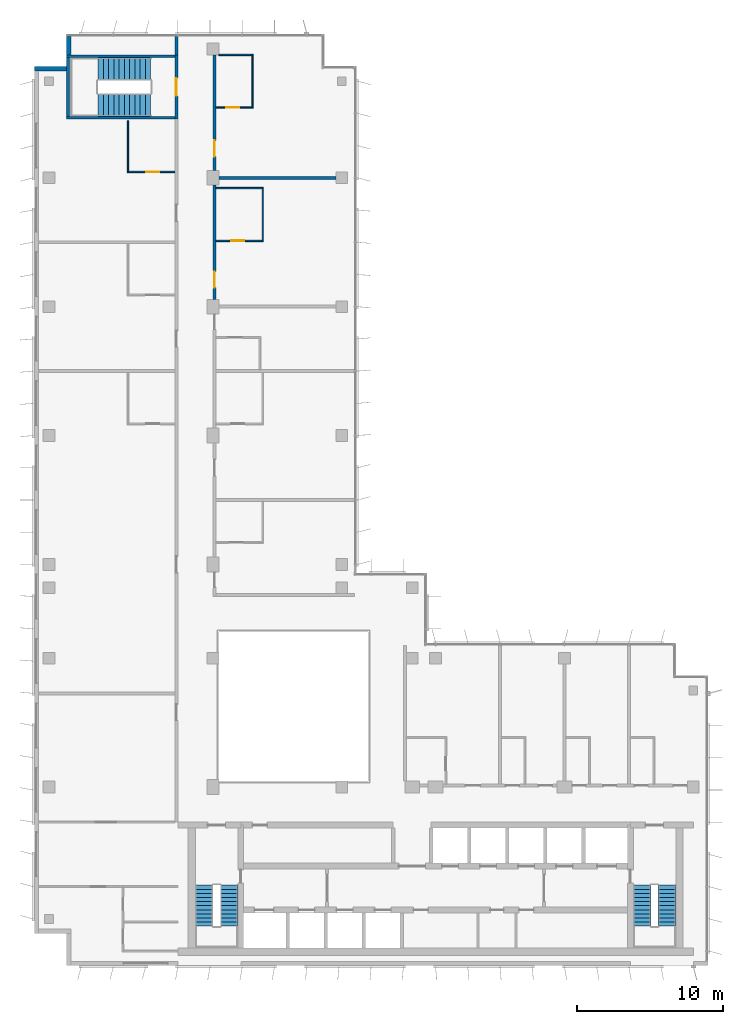
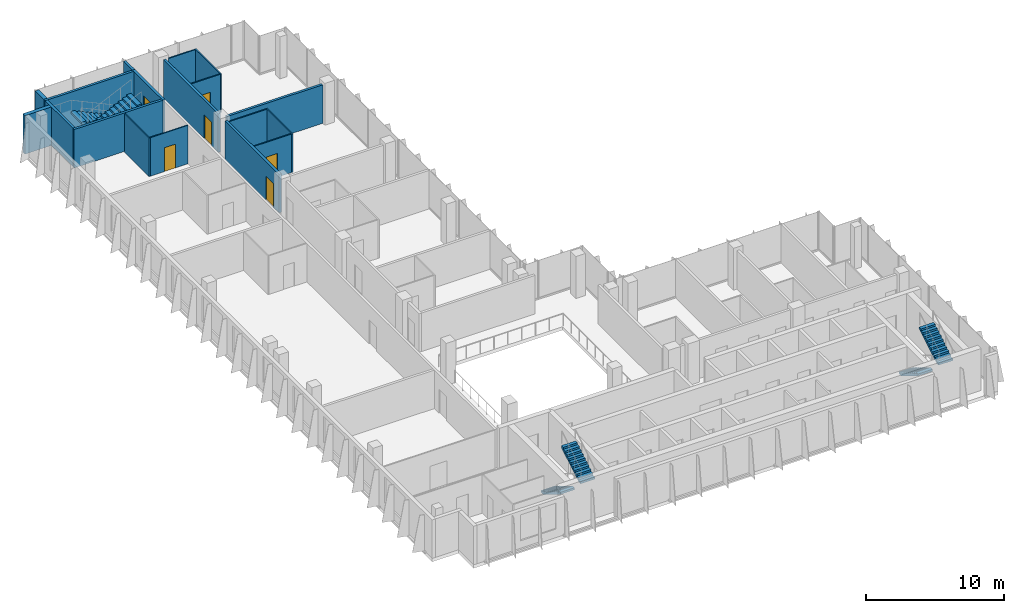
# One storey, part 12 of 15: 18 walls, 6 doors, 6 stair flights, 6 openings, 3 elements without a shape of their own.
"""IFC4 building model written with IfcOpenShell, lengths in metres."""

from ifc_helpers import new_model, si_unit, direction, frame, frame_2d, origin, place, context, subcontext, project, spatial, polyline, rectangle, outline, extrude, material, layer, layer_set, type_object, element, fill, aggregate, save


model = new_model("IFC4")

# Units and contexts
model_context = context("Model", 3, precision=1e-05, world=origin(), true_north=direction((0.0, 1.0)))
body_context = subcontext(model_context, "Body", "Model", "MODEL_VIEW")
ifc_project = project(units=[si_unit("LENGTHUNIT", "METRE"), si_unit("AREAUNIT", "SQUARE_METRE"), si_unit("VOLUMEUNIT", "CUBIC_METRE"), si_unit("PLANEANGLEUNIT", "RADIAN"), si_unit("MASSUNIT", "GRAM", prefix="KILO")], contexts=[model_context])

# Site, building, storey
site_placement = place(None, origin())
site = spatial("IfcSite", under=ifc_project, at=site_placement, CompositionType="ELEMENT")
building_placement = place(site_placement, origin())
building = spatial("IfcBuilding", under=site, at=building_placement, Name="Kemantara Hotel Tower", CompositionType="ELEMENT")
storey_placement = place(building_placement, frame((0.0, 0.0, 298.10009765625)))
storey = spatial("IfcBuildingStorey", under=building, at=storey_placement, Name="L75", CompositionType="ELEMENT", Elevation=298.10009765625)

# Walls
ifc_material_1 = material(Name="Bronze anodised aluminium cladding on insulated steel stud wall", Category="steel")
ifc_layer_1 = layer(ifc_material_1, 0.300048828125)
ifc_layer_set_1 = layer_set([ifc_layer_1], Name="Bronze anodised aluminium cladding on insulated steel stud wall")
wall_type_1 = type_object("IfcWallType", Name="BRONZE METAL-CLAD EXTERNAL WALL 300", PredefinedType="STANDARD", material=ifc_layer_set_1)
wall_1_placement = place(storey_placement, frame((2.35009765625, 63.449951171875, 0.0), z_axis=(0.0, 0.0, 1.0), x_axis=(0.0, -1.0, 0.0)))
element("IfcWall", 1, at=wall_1_placement, inside=storey, type_object=wall_type_1, Name="EXTERNAL WALL L75 T4-R03", PredefinedType="STANDARD", context=body_context, shape_type="SweptSolid", body=[
    extrude(rectangle(XDim=1.25, YDim=0.300048828125, at=frame_2d((0.625, 0.0))), origin(), (0.0, 0.0, 1.0), 3.39990234375),
])
wall_2_placement = place(storey_placement, frame((2.199951171875, 61.25, 0.0), z_axis=(0.0, 0.0, 1.0), x_axis=(-1.0, 0.0, 0.0)))
element("IfcWall", 2, at=wall_2_placement, inside=storey, type_object=wall_type_1, Name="EXTERNAL WALL L75 T4-R04", PredefinedType="STANDARD", context=body_context, shape_type="SweptSolid", body=[
    extrude(rectangle(XDim=2.199951171875, YDim=0.300048828125, at=frame_2d((1.10009765625, 0.0))), origin(), (0.0, 0.0, 1.0), 3.39990234375),
])
ifc_material_2 = material(Name="Gypsum board partition, steel studs and mineral wool, 200 mm", Category="steel")
ifc_layer_2 = layer(ifc_material_2, 0.199951171875)
ifc_layer_set_2 = layer_set([ifc_layer_2], Name="Gypsum board partition, steel studs and mineral wool, 200 mm")
wall_type_2 = type_object("IfcWallType", Name="CORRIDOR WALL 200", PredefinedType="PARTITIONING", material=ifc_layer_set_2)
wall_3_placement = place(storey_placement, frame((9.699951171875, 62.199951171875, 0.0), z_axis=(0.0, 0.0, 1.0), x_axis=(0.0, 1.0, 0.0)))
element("IfcWall", 3, at=wall_3_placement, inside=storey, type_object=wall_type_2, Name="CORRIDOR WALL 200 009", PredefinedType="PARTITIONING", context=body_context, shape_type="SweptSolid", body=[
    extrude(rectangle(XDim=1.280029296875, YDim=0.199951171875, at=frame_2d((0.64013671875, 0.0))), origin(), (0.0, 0.0, 1.0), 3.39990234375),
])

# Wall, opening, door
wall_4_placement = place(storey_placement, frame((12.300048828125, 53.2998046875, 0.0), z_axis=(0.0, 0.0, 1.0), x_axis=(0.0, -1.0, 0.0)))
wall_4 = element("IfcWall", 4, at=wall_4_placement, inside=storey, type_object=wall_type_2, Name="CORRIDOR WALL 200 017", PredefinedType="PARTITIONING", context=body_context, shape_type="SweptSolid", body=[
    extrude(rectangle(XDim=7.7998046875, YDim=0.199951171875, at=frame_2d((3.89990234375, 0.0))), origin(), (0.0, 0.0, 1.0), 3.39990234375),
])
opening_1_placement = place(wall_4_placement, frame((5.89990234375, 0.0, 0.0)))
opening_1 = element("IfcOpeningElement", 5, at=opening_1_placement, cuts=wall_4, Name="Opening F37-026", PredefinedType="OPENING", context=body_context, shape_type="SweptSolid", body=[
    extrude(rectangle(XDim=1.10009765625, YDim=2.10009765625, at=frame_2d((0.550048828125, 1.050048828125))), frame((0.0, 0.10986328125, 0.0), z_axis=(0.0, -1.0, 0.0), x_axis=(1.0, 0.0, 0.0)), (0.0, 0.0, 1.0), 0.219970703125),
])
ifc_material_3 = material(Name="Hardwood veneer door leaf with steel frame", Category="steel")
door_type_1 = type_object("IfcDoorType", Name="SUITE ENTRANCE DOOR 1100 X 2100 FD30S", OperationType="NOTDEFINED", PredefinedType="DOOR", material=ifc_material_3)
door_1_placement = place(opening_1_placement, origin())
door_1 = element("IfcDoor", 6, at=door_1_placement, inside=storey, type_object=door_type_1, Name="SUITE ENTRANCE DOOR F37-026", OperationType="SINGLE_SWING_RIGHT", OverallHeight=2.10009765625, OverallWidth=1.10009765625, PredefinedType="DOOR", context=body_context, shape_type="SweptSolid", body=[
    extrude(rectangle(XDim=1.10009765625, YDim=2.10009765625, at=frame_2d((0.550048828125, 1.050048828125))), frame((0.0, 0.02490234375, 0.0), z_axis=(0.0, -1.0, 0.0), x_axis=(1.0, 0.0, 0.0)), (0.0, 0.0, 1.0), 0.050048828125),
])
fill(opening_1, door_1)

wall_5_placement = place(storey_placement, frame((12.300048828125, 62.199951171875, 0.0), z_axis=(0.0, 0.0, 1.0), x_axis=(0.0, -1.0, 0.0)))
wall_5 = element("IfcWall", 7, at=wall_5_placement, inside=storey, type_object=wall_type_2, Name="CORRIDOR WALL 200 018", PredefinedType="PARTITIONING", context=body_context, shape_type="SweptSolid", body=[
    extrude(rectangle(XDim=7.89990234375, YDim=0.199951171875, at=frame_2d((3.949951171875, 0.0))), origin(), (0.0, 0.0, 1.0), 3.39990234375),
])
opening_2_placement = place(wall_5_placement, frame((5.849853515625, 0.0, 0.0)))
opening_2 = element("IfcOpeningElement", 8, at=opening_2_placement, cuts=wall_5, Name="Opening F37-028", PredefinedType="OPENING", context=body_context, shape_type="SweptSolid", body=[
    extrude(rectangle(XDim=1.10009765625, YDim=2.10009765625, at=frame_2d((0.550048828125, 1.050048828125))), frame((0.0, 0.10986328125, 0.0), z_axis=(0.0, -1.0, 0.0), x_axis=(1.0, 0.0, 0.0)), (0.0, 0.0, 1.0), 0.219970703125),
])
door_2_placement = place(opening_2_placement, origin())
door_2 = element("IfcDoor", 9, at=door_2_placement, inside=storey, type_object=door_type_1, Name="SUITE ENTRANCE DOOR F37-028", OperationType="SINGLE_SWING_RIGHT", OverallHeight=2.10009765625, OverallWidth=1.10009765625, PredefinedType="DOOR", context=body_context, shape_type="SweptSolid", body=[
    extrude(rectangle(XDim=1.10009765625, YDim=2.10009765625, at=frame_2d((0.550048828125, 1.050048828125))), frame((0.0, 0.02490234375, 0.0), z_axis=(0.0, -1.0, 0.0), x_axis=(1.0, 0.0, 0.0)), (0.0, 0.0, 1.0), 0.050048828125),
])
fill(opening_2, door_2)

ifc_material_4 = material(Name="Concrete fc 40 MPa", Category="concrete")
ifc_layer_3 = layer(ifc_material_4, 0.199951171875)
ifc_layer_set_3 = layer_set([ifc_layer_3], Name="Concrete fc 40 MPa")
wall_type_3 = type_object("IfcWallType", Name="Concrete stair wall 200 mm", PredefinedType="SHEAR", material=ifc_layer_set_3)
wall_6_placement = place(storey_placement, frame((9.699951171875, 57.800048828125, 0.0), z_axis=(0.0, 0.0, 1.0), x_axis=(0.0, 1.0, 0.0)))
wall_6 = element("IfcWall", 10, at=wall_6_placement, inside=storey, type_object=wall_type_3, Name="Stair ST4 enclosure wall with door", PredefinedType="SHEAR", context=body_context, shape_type="SweptSolid", body=[
    extrude(rectangle(XDim=4.39990234375, YDim=0.199951171875, at=frame_2d((2.199951171875, 0.0))), origin(), (0.0, 0.0, 1.0), 3.39990234375),
])
opening_3_placement = place(wall_6_placement, frame((1.60009765625, 0.0, 0.0)))
opening_3 = element("IfcOpeningElement", 11, at=opening_3_placement, cuts=wall_6, Name="Opening ST4-C", PredefinedType="OPENING", context=body_context, shape_type="SweptSolid", body=[
    extrude(rectangle(XDim=1.199951171875, YDim=2.10009765625, at=frame_2d((0.60009765625, 1.050048828125))), frame((0.0, 0.10986328125, 0.0), z_axis=(0.0, -1.0, 0.0), x_axis=(1.0, 0.0, 0.0)), (0.0, 0.0, 1.0), 0.219970703125),
])
ifc_material_5 = material(Name="Steel fire door", Category="steel")
door_type_2 = type_object("IfcDoorType", Name="Fire door FD90 1200 x 2100", OperationType="NOTDEFINED", PredefinedType="DOOR", material=ifc_material_5)
door_3_placement = place(opening_3_placement, origin())
door_3 = element("IfcDoor", 12, at=door_3_placement, inside=storey, type_object=door_type_2, Name="Stair ST4 door", OperationType="SINGLE_SWING_RIGHT", OverallHeight=2.10009765625, OverallWidth=1.199951171875, PredefinedType="DOOR", context=body_context, shape_type="SweptSolid", body=[
    extrude(rectangle(XDim=1.199951171875, YDim=2.10009765625, at=frame_2d((0.60009765625, 1.050048828125))), frame((0.0, 0.02490234375, 0.0), z_axis=(0.0, -1.0, 0.0), x_axis=(1.0, 0.0, 0.0)), (0.0, 0.0, 1.0), 0.050048828125),
])
fill(opening_3, door_3)

# Walls
for number, where, z_axis, x_axis, name in (
    (13, (2.199951171875, 62.10009765625, 0.0), (0.0, 0.0, 1.0), (1.0, 0.0, 0.0), "Stair ST4 enclosure wall N"),
    (14, (2.199951171875, 57.89990234375, 0.0), (0.0, 0.0, 1.0), (1.0, 0.0, 0.0), "Stair ST4 enclosure wall S"),
):
    element("IfcWall", number, at=place(storey_placement, frame(where, z_axis=z_axis, x_axis=x_axis)), inside=storey, type_object=wall_type_3, Name=name, PredefinedType="SHEAR", context=body_context, shape_type="SweptSolid", body=[
        extrude(rectangle(XDim=7.400146484375, YDim=0.199951171875, at=frame_2d((3.7001953125, 0.0))), origin(), (0.0, 0.0, 1.0), 3.39990234375),
    ])
wall_7_placement = place(storey_placement, frame((2.300048828125, 58.0, 0.0), z_axis=(0.0, 0.0, 1.0), x_axis=(0.0, 1.0, 0.0)))
element("IfcWall", 15, at=wall_7_placement, inside=storey, type_object=wall_type_3, Name="Stair ST4 enclosure wall W", PredefinedType="SHEAR", context=body_context, shape_type="SweptSolid", body=[
    extrude(rectangle(XDim=4.0, YDim=0.199951171875, at=frame_2d((2.0, 0.0))), origin(), (0.0, 0.0, 1.0), 3.39990234375),
])
ifc_layer_4 = layer(ifc_material_2, 0.199951171875)
ifc_layer_set_4 = layer_set([ifc_layer_4], Name="Gypsum board partition, steel studs and mineral wool, 200 mm")
wall_type_4 = type_object("IfcWallType", Name="GUEST ROOM PARTY WALL 200", PredefinedType="PARTITIONING", material=ifc_layer_set_4)
wall_8_placement = place(storey_placement, frame((12.60009765625, 53.800048828125, 0.0), z_axis=(0.0, 0.0, 1.0), x_axis=(1.0, 0.0, 0.0)))
element("IfcWall", 16, at=wall_8_placement, inside=storey, type_object=wall_type_4, Name="GUEST ROOM PARTY WALL 200 022", PredefinedType="PARTITIONING", context=body_context, shape_type="SweptSolid", body=[
    extrude(rectangle(XDim=7.999755859375, YDim=0.199951171875, at=frame_2d((4.0, 0.0))), origin(), (0.0, 0.0, 1.0), 3.39990234375),
])
ifc_material_6 = material(Name="Gypsum board partition on steel studs, 100 mm", Category="steel")
ifc_layer_5 = layer(ifc_material_6, 0.10009765625)
ifc_layer_set_5 = layer_set([ifc_layer_5], Name="Gypsum board partition on steel studs, 100 mm")
wall_type_5 = type_object("IfcWallType", Name="ROOM PARTITION 100", PredefinedType="PARTITIONING", material=ifc_layer_set_5)
wall_9_placement = place(storey_placement, frame((6.39990234375, 54.14990234375, 0.0), z_axis=(0.0, 0.0, 1.0), x_axis=(0.0, 1.0, 0.0)))
element("IfcWall", 17, at=wall_9_placement, inside=storey, type_object=wall_type_5, Name="ROOM PARTITION 100 038", PredefinedType="PARTITIONING", context=body_context, shape_type="SweptSolid", body=[
    extrude(rectangle(XDim=3.550048828125, YDim=0.10009765625, at=frame_2d((1.77490234375, 0.0))), origin(), (0.0, 0.0, 1.0), 3.39990234375),
])

# Wall, opening, door
wall_10_placement = place(storey_placement, frame((6.449951171875, 54.199951171875, 0.0), z_axis=(0.0, 0.0, 1.0), x_axis=(1.0, 0.0, 0.0)))
wall_10 = element("IfcWall", 18, at=wall_10_placement, inside=storey, type_object=wall_type_5, Name="ROOM PARTITION 100 042", PredefinedType="PARTITIONING", context=body_context, shape_type="SweptSolid", body=[
    extrude(rectangle(XDim=3.150146484375, YDim=0.10009765625, at=frame_2d((1.5751953125, 0.0))), origin(), (0.0, 0.0, 1.0), 3.39990234375),
])
opening_4_placement = place(wall_10_placement, frame((1.199951171875, 0.0, 0.0)))
opening_4 = element("IfcOpeningElement", 19, at=opening_4_placement, cuts=wall_10, Name="Opening F37-019", PredefinedType="OPENING", context=body_context, shape_type="SweptSolid", body=[
    extrude(rectangle(XDim=0.89990234375, YDim=2.10009765625, at=frame_2d((0.449951171875, 1.050048828125))), frame((0.0, 0.06005859375, 0.0), z_axis=(0.0, -1.0, 0.0), x_axis=(1.0, 0.0, 0.0)), (0.0, 0.0, 1.0), 0.1201171875),
])
door_type_3 = type_object("IfcDoorType", Name="BATHROOM DOOR 900 X 2100", OperationType="NOTDEFINED", PredefinedType="DOOR", material=ifc_material_3)
door_4_placement = place(opening_4_placement, origin())
door_4 = element("IfcDoor", 20, at=door_4_placement, inside=storey, type_object=door_type_3, Name="BATHROOM DOOR F37-019", OperationType="SINGLE_SWING_RIGHT", OverallHeight=2.10009765625, OverallWidth=0.89990234375, PredefinedType="DOOR", context=body_context, shape_type="SweptSolid", body=[
    extrude(rectangle(XDim=0.89990234375, YDim=2.10009765625, at=frame_2d((0.449951171875, 1.050048828125))), frame((0.0, 0.02490234375, 0.0), z_axis=(0.0, -1.0, 0.0), x_axis=(1.0, 0.0, 0.0)), (0.0, 0.0, 1.0), 0.050048828125),
])
fill(opening_4, door_4)

# Wall
wall_11_placement = place(storey_placement, frame((15.60009765625, 49.449951171875, 0.0), z_axis=(0.0, 0.0, 1.0), x_axis=(0.0, 1.0, 0.0)))
element("IfcWall", 21, at=wall_11_placement, inside=storey, type_object=wall_type_5, Name="ROOM PARTITION 100 045", PredefinedType="PARTITIONING", context=body_context, shape_type="SweptSolid", body=[
    extrude(rectangle(XDim=3.699951171875, YDim=0.10009765625, at=frame_2d((1.85009765625, 0.0))), origin(), (0.0, 0.0, 1.0), 3.39990234375),
])

# Wall, opening, door
wall_12_placement = place(storey_placement, frame((12.39990234375, 49.5, 0.0), z_axis=(0.0, 0.0, 1.0), x_axis=(1.0, 0.0, 0.0)))
wall_12 = element("IfcWall", 22, at=wall_12_placement, inside=storey, type_object=wall_type_5, Name="ROOM PARTITION 100 049", PredefinedType="PARTITIONING", context=body_context, shape_type="SweptSolid", body=[
    extrude(rectangle(XDim=3.150146484375, YDim=0.10009765625, at=frame_2d((1.5751953125, 0.0))), origin(), (0.0, 0.0, 1.0), 3.39990234375),
])
opening_5_placement = place(wall_12_placement, frame((1.050048828125, 0.0, 0.0)))
opening_5 = element("IfcOpeningElement", 23, at=opening_5_placement, cuts=wall_12, Name="Opening F37-027", PredefinedType="OPENING", context=body_context, shape_type="SweptSolid", body=[
    extrude(rectangle(XDim=0.89990234375, YDim=2.10009765625, at=frame_2d((0.449951171875, 1.050048828125))), frame((0.0, 0.06005859375, 0.0), z_axis=(0.0, -1.0, 0.0), x_axis=(1.0, 0.0, 0.0)), (0.0, 0.0, 1.0), 0.1201171875),
])
door_5_placement = place(opening_5_placement, origin())
door_5 = element("IfcDoor", 24, at=door_5_placement, inside=storey, type_object=door_type_3, Name="BATHROOM DOOR F37-027", OperationType="SINGLE_SWING_LEFT", OverallHeight=2.10009765625, OverallWidth=0.89990234375, PredefinedType="DOOR", context=body_context, shape_type="SweptSolid", body=[
    extrude(rectangle(XDim=0.89990234375, YDim=2.10009765625, at=frame_2d((0.449951171875, 1.050048828125))), frame((0.0, 0.02490234375, 0.0), z_axis=(0.0, -1.0, 0.0), x_axis=(1.0, 0.0, 0.0)), (0.0, 0.0, 1.0), 0.050048828125),
])
fill(opening_5, door_5)

# Walls
wall_13_placement = place(storey_placement, frame((12.39990234375, 53.10009765625, 0.0), z_axis=(0.0, 0.0, 1.0), x_axis=(1.0, 0.0, 0.0)))
element("IfcWall", 25, at=wall_13_placement, inside=storey, type_object=wall_type_5, Name="ROOM PARTITION 100 050", PredefinedType="PARTITIONING", context=body_context, shape_type="SweptSolid", body=[
    extrude(rectangle(XDim=3.150146484375, YDim=0.10009765625, at=frame_2d((1.5751953125, 0.0))), origin(), (0.0, 0.0, 1.0), 3.39990234375),
])
wall_14_placement = place(storey_placement, frame((14.89990234375, 58.550048828125, 0.0), z_axis=(0.0, 0.0, 1.0), x_axis=(0.0, 1.0, 0.0)))
element("IfcWall", 26, at=wall_14_placement, inside=storey, type_object=wall_type_5, Name="ROOM PARTITION 100 051", PredefinedType="PARTITIONING", context=body_context, shape_type="SweptSolid", body=[
    extrude(rectangle(XDim=3.699951171875, YDim=0.10009765625, at=frame_2d((1.85009765625, 0.0))), origin(), (0.0, 0.0, 1.0), 3.39990234375),
])

# Wall, opening, door
wall_15_placement = place(storey_placement, frame((12.39990234375, 58.60009765625, 0.0), z_axis=(0.0, 0.0, 1.0), x_axis=(1.0, 0.0, 0.0)))
wall_15 = element("IfcWall", 27, at=wall_15_placement, inside=storey, type_object=wall_type_5, Name="ROOM PARTITION 100 052", PredefinedType="PARTITIONING", context=body_context, shape_type="SweptSolid", body=[
    extrude(rectangle(XDim=2.4501953125, YDim=0.10009765625, at=frame_2d((1.22509765625, 0.0))), origin(), (0.0, 0.0, 1.0), 3.39990234375),
])
opening_6_placement = place(wall_15_placement, frame((0.699951171875, 0.0, 0.0)))
opening_6 = element("IfcOpeningElement", 28, at=opening_6_placement, cuts=wall_15, Name="Opening F37-029", PredefinedType="OPENING", context=body_context, shape_type="SweptSolid", body=[
    extrude(rectangle(XDim=0.89990234375, YDim=2.10009765625, at=frame_2d((0.449951171875, 1.050048828125))), frame((0.0, 0.06005859375, 0.0), z_axis=(0.0, -1.0, 0.0), x_axis=(1.0, 0.0, 0.0)), (0.0, 0.0, 1.0), 0.1201171875),
])
door_6_placement = place(opening_6_placement, origin())
door_6 = element("IfcDoor", 29, at=door_6_placement, inside=storey, type_object=door_type_3, Name="BATHROOM DOOR F37-029", OperationType="SINGLE_SWING_LEFT", OverallHeight=2.10009765625, OverallWidth=0.89990234375, PredefinedType="DOOR", context=body_context, shape_type="SweptSolid", body=[
    extrude(rectangle(XDim=0.89990234375, YDim=2.10009765625, at=frame_2d((0.449951171875, 1.050048828125))), frame((0.0, 0.02490234375, 0.0), z_axis=(0.0, -1.0, 0.0), x_axis=(1.0, 0.0, 0.0)), (0.0, 0.0, 1.0), 0.050048828125),
])
fill(opening_6, door_6)

# Wall
wall_16_placement = place(storey_placement, frame((12.60009765625, 62.199951171875, 0.0), z_axis=(0.0, 0.0, 1.0), x_axis=(1.0, 0.0, 0.0)))
element("IfcWall", 30, at=wall_16_placement, inside=storey, type_object=wall_type_5, Name="ROOM PARTITION 100 053", PredefinedType="PARTITIONING", context=body_context, shape_type="SweptSolid", body=[
    extrude(rectangle(XDim=2.25, YDim=0.10009765625, at=frame_2d((1.125, 0.0))), origin(), (0.0, 0.0, 1.0), 3.39990234375),
])

# Stair, stair flights
stair_type_1 = type_object("IfcStairType", Name="Stair 1200 wide 22 risers of 168 x 280 mm", PredefinedType="HALF_TURN_STAIR", material=ifc_material_4)
stair_1_placement = place(storey_placement, origin())
stair_1 = element("IfcStair", 31, at=stair_1_placement, inside=storey, type_object=stair_type_1, Name="L75 Exit stair ST1", PredefinedType="HALF_TURN_STAIR")
stair_flight_type_1 = type_object("IfcStairFlightType", Name="Stair flight 1200 wide 168 x 280 mm", PredefinedType="STRAIGHT", material=ifc_material_4)
stair_flight_1_placement = place(storey_placement, frame((11.60009765625, 5.5, 0.0), z_axis=(0.0, 0.0, 1.0), x_axis=(0.0, -1.0, 0.0)))
stair_flight_1 = element("IfcStairFlight", 32, at=stair_flight_1_placement, type_object=stair_flight_type_1, Name="ST1 flight 1", NumberOfRisers=11, NumberOfTreads=10, PredefinedType="STRAIGHT", RiserHeight=0.168181818, TreadLength=0.28, context=body_context, shape_type="SweptSolid", body=[
    extrude(outline(polyline([(0.0, 0.0), (0.0, 0.168212890625), (0.280029296875, 0.168212890625), (0.280029296875, 0.33642578125), (0.56005859375, 0.33642578125), (0.56005859375, 0.504638671875), (0.840087890625, 0.504638671875), (0.840087890625, 0.672607421875), (1.1201171875, 0.672607421875), (1.1201171875, 0.8408203125), (1.39990234375, 0.8408203125), (1.39990234375, 1.009033203125), (1.679931640625, 1.009033203125), (1.679931640625, 1.17724609375), (1.9599609375, 1.17724609375), (1.9599609375, 1.345458984375), (2.239990234375, 1.345458984375), (2.239990234375, 1.513671875), (2.52001953125, 1.513671875), (2.52001953125, 1.681884765625), (2.800048828125, 1.681884765625), (2.800048828125, 1.85009765625), (2.800048828125, 1.5068359375), (0.291015625, 0.0), (0.0, 0.0)])), frame((0.0, 0.60009765625, 0.0), z_axis=(0.0, -1.0, 0.0), x_axis=(1.0, 0.0, 0.0)), (0.0, 0.0, 1.0), 1.199951171875),
])
stair_flight_2_placement = place(storey_placement, frame((13.300048828125, 2.699951171875, 1.849853515625), z_axis=(0.0, 0.0, 1.0), x_axis=(0.0, 1.0, 0.0)))
stair_flight_2 = element("IfcStairFlight", 33, at=stair_flight_2_placement, type_object=stair_flight_type_1, Name="ST1 flight 2", NumberOfRisers=11, NumberOfTreads=10, PredefinedType="STRAIGHT", RiserHeight=0.168181818, TreadLength=0.28, context=body_context, shape_type="SweptSolid", body=[
    extrude(outline(polyline([(0.0, 0.0), (0.0, 0.168212890625), (0.280029296875, 0.168212890625), (0.280029296875, 0.33642578125), (0.56005859375, 0.33642578125), (0.56005859375, 0.504638671875), (0.840087890625, 0.504638671875), (0.840087890625, 0.672607421875), (1.1201171875, 0.672607421875), (1.1201171875, 0.8408203125), (1.39990234375, 0.8408203125), (1.39990234375, 1.009033203125), (1.679931640625, 1.009033203125), (1.679931640625, 1.17724609375), (1.9599609375, 1.17724609375), (1.9599609375, 1.345458984375), (2.239990234375, 1.345458984375), (2.239990234375, 1.513671875), (2.52001953125, 1.513671875), (2.52001953125, 1.681884765625), (2.800048828125, 1.681884765625), (2.800048828125, 1.85009765625), (2.800048828125, 1.5068359375), (0.291015625, 0.0), (0.0, 0.0)])), frame((0.0, 0.60009765625, 0.0), z_axis=(0.0, -1.0, 0.0), x_axis=(1.0, 0.0, 0.0)), (0.0, 0.0, 1.0), 1.199951171875),
])
aggregate(stair_1, [stair_flight_1, stair_flight_2])

stair_2_placement = place(storey_placement, origin())
stair_2 = element("IfcStair", 34, at=stair_2_placement, inside=storey, type_object=stair_type_1, Name="L75 Exit stair ST2", PredefinedType="HALF_TURN_STAIR")
stair_flight_3_placement = place(storey_placement, frame((41.5, 5.5, 0.0), z_axis=(0.0, 0.0, 1.0), x_axis=(0.0, -1.0, 0.0)))
stair_flight_3 = element("IfcStairFlight", 35, at=stair_flight_3_placement, type_object=stair_flight_type_1, Name="ST2 flight 1", NumberOfRisers=11, NumberOfTreads=10, PredefinedType="STRAIGHT", RiserHeight=0.168181818, TreadLength=0.28, context=body_context, shape_type="SweptSolid", body=[
    extrude(outline(polyline([(0.0, 0.0), (0.0, 0.168212890625), (0.280029296875, 0.168212890625), (0.280029296875, 0.33642578125), (0.56005859375, 0.33642578125), (0.56005859375, 0.504638671875), (0.840087890625, 0.504638671875), (0.840087890625, 0.672607421875), (1.1201171875, 0.672607421875), (1.1201171875, 0.8408203125), (1.39990234375, 0.8408203125), (1.39990234375, 1.009033203125), (1.679931640625, 1.009033203125), (1.679931640625, 1.17724609375), (1.9599609375, 1.17724609375), (1.9599609375, 1.345458984375), (2.239990234375, 1.345458984375), (2.239990234375, 1.513671875), (2.52001953125, 1.513671875), (2.52001953125, 1.681884765625), (2.800048828125, 1.681884765625), (2.800048828125, 1.85009765625), (2.800048828125, 1.5068359375), (0.291015625, 0.0), (0.0, 0.0)])), frame((0.0, 0.60009765625, 0.0), z_axis=(0.0, -1.0, 0.0), x_axis=(1.0, 0.0, 0.0)), (0.0, 0.0, 1.0), 1.199951171875),
])
stair_flight_4_placement = place(storey_placement, frame((43.199951171875, 2.699951171875, 1.849853515625), z_axis=(0.0, 0.0, 1.0), x_axis=(0.0, 1.0, 0.0)))
stair_flight_4 = element("IfcStairFlight", 36, at=stair_flight_4_placement, type_object=stair_flight_type_1, Name="ST2 flight 2", NumberOfRisers=11, NumberOfTreads=10, PredefinedType="STRAIGHT", RiserHeight=0.168181818, TreadLength=0.28, context=body_context, shape_type="SweptSolid", body=[
    extrude(outline(polyline([(0.0, 0.0), (0.0, 0.168212890625), (0.280029296875, 0.168212890625), (0.280029296875, 0.33642578125), (0.56005859375, 0.33642578125), (0.56005859375, 0.504638671875), (0.840087890625, 0.504638671875), (0.840087890625, 0.672607421875), (1.1201171875, 0.672607421875), (1.1201171875, 0.8408203125), (1.39990234375, 0.8408203125), (1.39990234375, 1.009033203125), (1.679931640625, 1.009033203125), (1.679931640625, 1.17724609375), (1.9599609375, 1.17724609375), (1.9599609375, 1.345458984375), (2.239990234375, 1.345458984375), (2.239990234375, 1.513671875), (2.52001953125, 1.513671875), (2.52001953125, 1.681884765625), (2.800048828125, 1.681884765625), (2.800048828125, 1.85009765625), (2.800048828125, 1.5068359375), (0.291015625, 0.0), (0.0, 0.0)])), frame((0.0, 0.60009765625, 0.0), z_axis=(0.0, -1.0, 0.0), x_axis=(1.0, 0.0, 0.0)), (0.0, 0.0, 1.0), 1.199951171875),
])
aggregate(stair_2, [stair_flight_3, stair_flight_4])

stair_type_2 = type_object("IfcStairType", Name="Stair 1550 wide 22 risers of 168 x 360 mm", PredefinedType="HALF_TURN_STAIR", material=ifc_material_4)
stair_3_placement = place(storey_placement, origin())
stair_3 = element("IfcStair", 37, at=stair_3_placement, inside=storey, type_object=stair_type_2, Name="L75 Exit stair ST4", PredefinedType="HALF_TURN_STAIR")
stair_flight_type_2 = type_object("IfcStairFlightType", Name="Stair flight 1550 wide 168 x 360 mm", PredefinedType="STRAIGHT", material=ifc_material_4)
stair_flight_5_placement = place(storey_placement, frame((7.949951171875, 61.22509765625, 0.0), z_axis=(0.0, 0.0, 1.0), x_axis=(-1.0, 0.0, 0.0)))
stair_flight_5 = element("IfcStairFlight", 38, at=stair_flight_5_placement, type_object=stair_flight_type_2, Name="ST4 flight 1", NumberOfRisers=11, NumberOfTreads=10, PredefinedType="STRAIGHT", RiserHeight=0.168181818, TreadLength=0.36, context=body_context, shape_type="SweptSolid", body=[
    extrude(outline(polyline([(0.0, 0.0), (0.0, 0.168212890625), (0.360107421875, 0.168212890625), (0.360107421875, 0.33642578125), (0.719970703125, 0.33642578125), (0.719970703125, 0.504638671875), (1.080078125, 0.504638671875), (1.080078125, 0.672607421875), (1.43994140625, 0.672607421875), (1.43994140625, 0.8408203125), (1.800048828125, 0.8408203125), (1.800048828125, 1.009033203125), (2.159912109375, 1.009033203125), (2.159912109375, 1.17724609375), (2.52001953125, 1.17724609375), (2.52001953125, 1.345458984375), (2.8798828125, 1.345458984375), (2.8798828125, 1.513671875), (3.239990234375, 1.513671875), (3.239990234375, 1.681884765625), (3.60009765625, 1.681884765625), (3.60009765625, 1.85009765625), (3.60009765625, 1.516357421875), (0.354248046875, 0.0), (0.0, 0.0)])), frame((0.0, 0.77490234375, 0.0), z_axis=(0.0, -1.0, 0.0), x_axis=(1.0, 0.0, 0.0)), (0.0, 0.0, 1.0), 1.550048828125),
])
stair_flight_6_placement = place(storey_placement, frame((4.35009765625, 58.77490234375, 1.849853515625), z_axis=(0.0, 0.0, 1.0), x_axis=(1.0, 0.0, 0.0)))
stair_flight_6 = element("IfcStairFlight", 39, at=stair_flight_6_placement, type_object=stair_flight_type_2, Name="ST4 flight 2", NumberOfRisers=11, NumberOfTreads=10, PredefinedType="STRAIGHT", RiserHeight=0.168181818, TreadLength=0.36, context=body_context, shape_type="SweptSolid", body=[
    extrude(outline(polyline([(0.0, 0.0), (0.0, 0.168212890625), (0.360107421875, 0.168212890625), (0.360107421875, 0.33642578125), (0.719970703125, 0.33642578125), (0.719970703125, 0.504638671875), (1.080078125, 0.504638671875), (1.080078125, 0.672607421875), (1.43994140625, 0.672607421875), (1.43994140625, 0.8408203125), (1.800048828125, 0.8408203125), (1.800048828125, 1.009033203125), (2.159912109375, 1.009033203125), (2.159912109375, 1.17724609375), (2.52001953125, 1.17724609375), (2.52001953125, 1.345458984375), (2.8798828125, 1.345458984375), (2.8798828125, 1.513671875), (3.239990234375, 1.513671875), (3.239990234375, 1.681884765625), (3.60009765625, 1.681884765625), (3.60009765625, 1.85009765625), (3.60009765625, 1.516357421875), (0.354248046875, 0.0), (0.0, 0.0)])), frame((0.0, 0.77490234375, 0.0), z_axis=(0.0, -1.0, 0.0), x_axis=(1.0, 0.0, 0.0)), (0.0, 0.0, 1.0), 1.550048828125),
])
aggregate(stair_3, [stair_flight_5, stair_flight_6])

save(model, "model.ifc")
